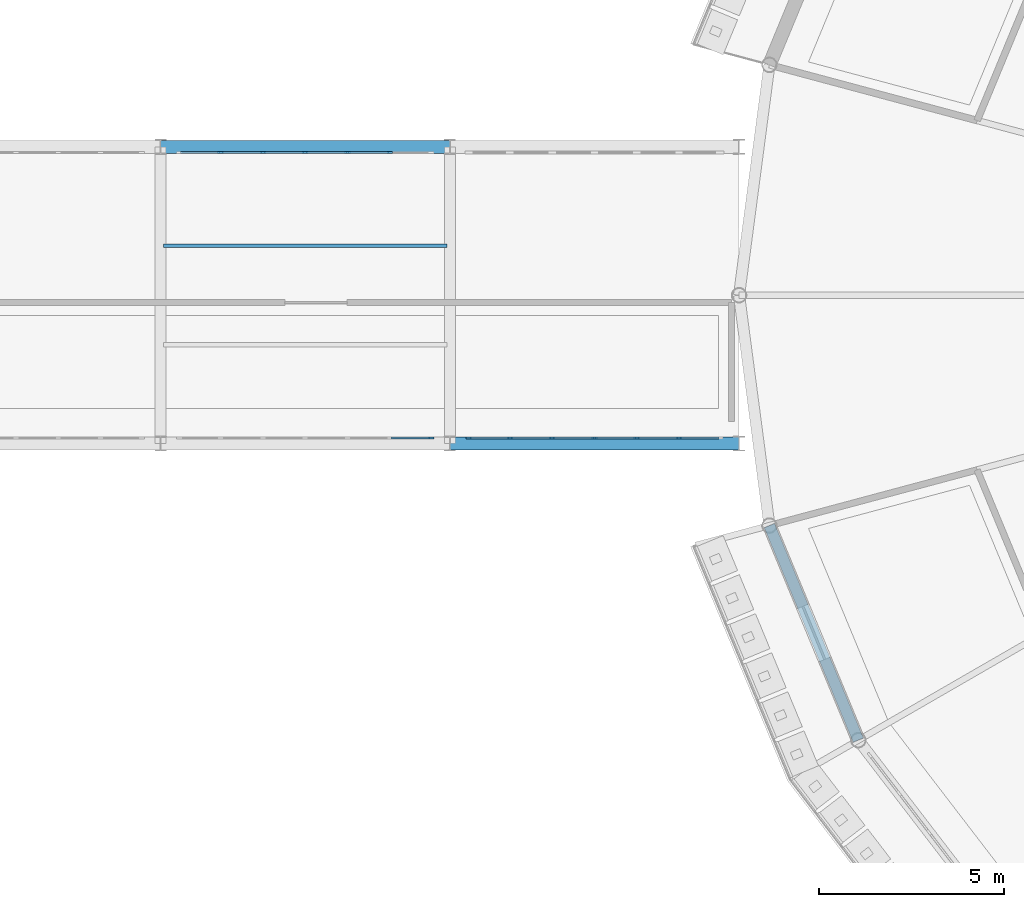
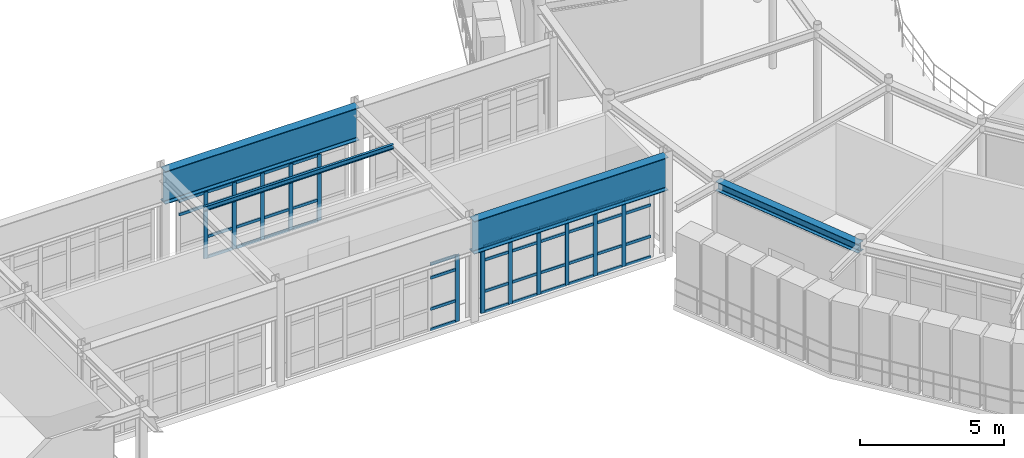
# One storey, part 33 of 106: 58 members, 4 beams, 3 elements without a shape of their own.
"""IFC4 building model written with IfcOpenShell, lengths in metres."""

from ifc_helpers import new_model, si_unit, derived_unit, direction, frame, origin, origin_2d, place, context, subcontext, project, spatial, rectangle, i_section, extrude, material, layer, layer_set, material_profile, profile_set, type_object, element, aggregate, save


model = new_model("IFC4")

# Units and contexts
model_context = context("Model", 3, precision=1e-05, world=origin(), true_north=direction((0.0, 1.0)))
body_context = subcontext(model_context, "Body", "Model", "MODEL_VIEW")
ifc_project = project(units=[si_unit("LENGTHUNIT", "METRE"), si_unit("AREAUNIT", "SQUARE_METRE"), si_unit("VOLUMEUNIT", "CUBIC_METRE"), si_unit("PLANEANGLEUNIT", "RADIAN"), si_unit("MASSUNIT", "GRAM", prefix="KILO"), derived_unit("THERMALTRANSMITTANCEUNIT", [(si_unit("POWERUNIT", "WATT"), 1), (si_unit("AREAUNIT", "SQUARE_METRE"), -1), (si_unit("THERMODYNAMICTEMPERATUREUNIT", "KELVIN"), -1)])], contexts=[model_context])

# Site, building, storey
site_placement = place(None, origin())
site = spatial("IfcSite", under=ifc_project, at=site_placement, CompositionType="ELEMENT")
building_placement = place(site_placement, origin())
building = spatial("IfcBuilding", under=site, at=building_placement, Name="Yasenodar Specialist Clinic", CompositionType="ELEMENT")
storey_placement = place(building_placement, frame((0.0, 0.0, 4.5)))
storey = spatial("IfcBuildingStorey", under=building, at=storey_placement, Name="L01", CompositionType="ELEMENT", Elevation=4.5)

# Beams
ifc_material_1 = material(Name="Steel S355", Category="steel")
ifc_material_profile_1 = material_profile(ifc_material_1, i_section(OverallWidth=0.300048828125, OverallDepth=0.389892578125, WebThickness=0.010986328125, FlangeThickness=0.01904296875, FilletRadius=0.027099609375, at=origin_2d()), Name="HEA 400")
ifc_profile_set_1 = profile_set([ifc_material_profile_1], Name="Steel S355")
beam_type_1 = type_object("IfcBeamType", Name="BM-HEA400", PredefinedType="BEAM", material=ifc_profile_set_1)
beam_1_placement = place(storey_placement, frame((57.81787109375, 52.58837890625, 4.054931640625), z_axis=(0.382663829839, -0.9238876519, 0.0), x_axis=(0.9238876519, 0.382663829839, 0.0)))
element("IfcBeam", 1, at=beam_1_placement, inside=storey, type_object=beam_type_1, Name="L01 Drum V1 Perimeter Ring Beam", PredefinedType="BEAM", context=body_context, shape_type="SweptSolid", body=[
    extrude(i_section(OverallWidth=0.300048828125, OverallDepth=0.389892578125, WebThickness=0.010986328125, FlangeThickness=0.01904296875, FilletRadius=0.027099609375, at=origin_2d()), origin(), (0.0, 0.0, 1.0), 6.26513671875),
])
ifc_material_profile_2 = material_profile(ifc_material_1, i_section(OverallWidth=0.35009765625, OverallDepth=1.39990234375, WebThickness=0.01611328125, FlangeThickness=0.028076171875, FilletRadius=0.02392578125, at=origin_2d()), Name="PG 1400x350")
ifc_profile_set_2 = profile_set([ifc_material_profile_2], Name="Steel S355")
beam_type_2 = type_object("IfcBeamType", Name="BM-PG-1400", PredefinedType="BEAM", material=ifc_profile_set_2)
for number, where, z_axis, x_axis, name in (
    (2, (49.199951171875, 54.800048828125, 3.550048828125), (1.0, 0.0, 0.0), (0.0, 1.0, 0.0), "L01 Light Bridge Plate Girder"),
    (3, (41.39990234375, 62.800048828125, 3.550048828125), (1.0, 0.0, 0.0), (0.0, 1.0, 0.0), "L01 Light Bridge Plate Girder"),
):
    element("IfcBeam", number, at=place(storey_placement, frame(where, z_axis=z_axis, x_axis=x_axis)), inside=storey, type_object=beam_type_2, Name=name, PredefinedType="BEAM", context=body_context, shape_type="SweptSolid", body=[
        extrude(i_section(OverallWidth=0.35009765625, OverallDepth=1.39990234375, WebThickness=0.01611328125, FlangeThickness=0.028076171875, FilletRadius=0.02392578125, at=origin_2d()), origin(), (0.0, 0.0, 1.0), 7.800048828125),
    ])

# Curtain wall, members
ifc_material_2 = material(Name="Bronze Anodized Aluminium and Triple Low-E Glass", Category="aluminium")
ifc_layer = layer(ifc_material_2, 0.19091796875)
ifc_layer_set = layer_set([ifc_layer], Name="Bronze Anodized Aluminium and Triple Low-E Glass")
curtain_wall_type = type_object("IfcCurtainWallType", Name="CW-SYS-03", PredefinedType="USERDEFINED", material=ifc_layer_set)
curtain_wall_1_placement = place(storey_placement, origin())
curtain_wall_1 = element("IfcCurtainWall", 4, at=curtain_wall_1_placement, inside=storey, type_object=curtain_wall_type, Name="L01 Unitised Curtain Wall 103", ObjectType="UNITISED CURTAIN WALL", PredefinedType="USERDEFINED")
ifc_material_3 = material(Name="Bronze Anodized Aluminium", Category="aluminium")
ifc_material_profile_3 = material_profile(ifc_material_3, rectangle(XDim=0.06005859375, YDim=0.159912109375, at=origin_2d()), Name="CW-MULL 60x160")
ifc_profile_set_3 = profile_set([ifc_material_profile_3], Name="Bronze Anodized Aluminium")
member_type_1 = type_object("IfcMemberType", Name="CW-MULL-160", PredefinedType="MULLION", material=ifc_profile_set_3)
member_1_placement = place(storey_placement, frame((43.02001953125, 62.64990234375, 0.0), z_axis=(0.0, 0.0, 1.0), x_axis=(0.0, 1.0, 0.0)))
member_1 = element("IfcMember", 5, at=member_1_placement, type_object=member_type_1, Name="CW-03 mullion 2", PredefinedType="MULLION", context=body_context, shape_type="SweptSolid", body=[
    extrude(rectangle(XDim=0.06005859375, YDim=0.159912109375, at=origin_2d()), origin(), (0.0, 0.0, 1.0), 2.827880859375),
])
member_2_placement = place(storey_placement, frame((44.159912109375, 62.64990234375, 0.0), z_axis=(0.0, 0.0, 1.0), x_axis=(0.0, 1.0, 0.0)))
member_2 = element("IfcMember", 6, at=member_2_placement, type_object=member_type_1, Name="CW-03 mullion 3", PredefinedType="MULLION", context=body_context, shape_type="SweptSolid", body=[
    extrude(rectangle(XDim=0.06005859375, YDim=0.159912109375, at=origin_2d()), origin(), (0.0, 0.0, 1.0), 2.827880859375),
])
member_3_placement = place(storey_placement, frame((45.300048828125, 62.64990234375, 0.0), z_axis=(0.0, 0.0, 1.0), x_axis=(0.0, 1.0, 0.0)))
member_3 = element("IfcMember", 7, at=member_3_placement, type_object=member_type_1, Name="CW-03 mullion 4", PredefinedType="MULLION", context=body_context, shape_type="SweptSolid", body=[
    extrude(rectangle(XDim=0.06005859375, YDim=0.159912109375, at=origin_2d()), origin(), (0.0, 0.0, 1.0), 2.827880859375),
])
member_4_placement = place(storey_placement, frame((46.43994140625, 62.64990234375, 0.0), z_axis=(0.0, 0.0, 1.0), x_axis=(0.0, 1.0, 0.0)))
member_4 = element("IfcMember", 8, at=member_4_placement, type_object=member_type_1, Name="CW-03 mullion 5", PredefinedType="MULLION", context=body_context, shape_type="SweptSolid", body=[
    extrude(rectangle(XDim=0.06005859375, YDim=0.159912109375, at=origin_2d()), origin(), (0.0, 0.0, 1.0), 2.827880859375),
])
member_5_placement = place(storey_placement, frame((47.580078125, 62.64990234375, 0.0), z_axis=(0.0, 0.0, 1.0), x_axis=(0.0, 1.0, 0.0)))
member_5 = element("IfcMember", 9, at=member_5_placement, type_object=member_type_1, Name="CW-03 mullion 6", PredefinedType="MULLION", context=body_context, shape_type="SweptSolid", body=[
    extrude(rectangle(XDim=0.06005859375, YDim=0.159912109375, at=origin_2d()), origin(), (0.0, 0.0, 1.0), 2.827880859375),
])

# Curtain wall, member
curtain_wall_2_placement = place(storey_placement, origin())
curtain_wall_2 = element("IfcCurtainWall", 10, at=curtain_wall_2_placement, inside=storey, type_object=curtain_wall_type, Name="L01 Unitised Curtain Wall 104", ObjectType="UNITISED CURTAIN WALL", PredefinedType="USERDEFINED")
member_6_placement = place(storey_placement, frame((48.68994140625, 54.949951171875, 0.0), z_axis=(0.0, 0.0, 1.0), x_axis=(0.0, -1.0, 0.0)))
member_6 = element("IfcMember", 11, at=member_6_placement, type_object=member_type_1, Name="CW-03 mullion 1", PredefinedType="MULLION", context=body_context, shape_type="SweptSolid", body=[
    extrude(rectangle(XDim=0.06005859375, YDim=0.159912109375, at=origin_2d()), origin(), (0.0, 0.0, 1.0), 2.827880859375),
])

# Curtain wall, members
curtain_wall_3_placement = place(storey_placement, origin())
curtain_wall_3 = element("IfcCurtainWall", 12, at=curtain_wall_3_placement, inside=storey, type_object=curtain_wall_type, Name="L01 Unitised Curtain Wall 106", ObjectType="UNITISED CURTAIN WALL", PredefinedType="USERDEFINED")
member_7_placement = place(storey_placement, frame((55.3798828125, 54.949951171875, 0.0), z_axis=(0.0, 0.0, 1.0), x_axis=(0.0, -1.0, 0.0)))
member_7 = element("IfcMember", 13, at=member_7_placement, type_object=member_type_1, Name="CW-03 mullion 2", PredefinedType="MULLION", context=body_context, shape_type="SweptSolid", body=[
    extrude(rectangle(XDim=0.06005859375, YDim=0.159912109375, at=origin_2d()), origin(), (0.0, 0.0, 1.0), 2.827880859375),
])
member_8_placement = place(storey_placement, frame((54.239990234375, 54.949951171875, 0.0), z_axis=(0.0, 0.0, 1.0), x_axis=(0.0, -1.0, 0.0)))
member_8 = element("IfcMember", 14, at=member_8_placement, type_object=member_type_1, Name="CW-03 mullion 3", PredefinedType="MULLION", context=body_context, shape_type="SweptSolid", body=[
    extrude(rectangle(XDim=0.06005859375, YDim=0.159912109375, at=origin_2d()), origin(), (0.0, 0.0, 1.0), 2.827880859375),
])
member_9_placement = place(storey_placement, frame((53.10009765625, 54.949951171875, 0.0), z_axis=(0.0, 0.0, 1.0), x_axis=(0.0, -1.0, 0.0)))
member_9 = element("IfcMember", 15, at=member_9_placement, type_object=member_type_1, Name="CW-03 mullion 4", PredefinedType="MULLION", context=body_context, shape_type="SweptSolid", body=[
    extrude(rectangle(XDim=0.06005859375, YDim=0.159912109375, at=origin_2d()), origin(), (0.0, 0.0, 1.0), 2.827880859375),
])
member_10_placement = place(storey_placement, frame((51.9599609375, 54.949951171875, 0.0), z_axis=(0.0, 0.0, 1.0), x_axis=(0.0, -1.0, 0.0)))
member_10 = element("IfcMember", 16, at=member_10_placement, type_object=member_type_1, Name="CW-03 mullion 5", PredefinedType="MULLION", context=body_context, shape_type="SweptSolid", body=[
    extrude(rectangle(XDim=0.06005859375, YDim=0.159912109375, at=origin_2d()), origin(), (0.0, 0.0, 1.0), 2.827880859375),
])
member_11_placement = place(storey_placement, frame((50.820068359375, 54.949951171875, 0.0), z_axis=(0.0, 0.0, 1.0), x_axis=(0.0, -1.0, 0.0)))
member_11 = element("IfcMember", 17, at=member_11_placement, type_object=member_type_1, Name="CW-03 mullion 6", PredefinedType="MULLION", context=body_context, shape_type="SweptSolid", body=[
    extrude(rectangle(XDim=0.06005859375, YDim=0.159912109375, at=origin_2d()), origin(), (0.0, 0.0, 1.0), 2.827880859375),
])
member_12_placement = place(storey_placement, frame((49.7099609375, 54.949951171875, 0.0), z_axis=(0.0, 0.0, 1.0), x_axis=(0.0, -1.0, 0.0)))
member_12 = element("IfcMember", 18, at=member_12_placement, type_object=member_type_1, Name="CW-03 mullion 7", PredefinedType="MULLION", context=body_context, shape_type="SweptSolid", body=[
    extrude(rectangle(XDim=0.06005859375, YDim=0.159912109375, at=origin_2d()), origin(), (0.0, 0.0, 1.0), 2.827880859375),
])

# Member
ifc_material_profile_4 = material_profile(ifc_material_3, rectangle(XDim=0.06005859375, YDim=0.1201171875, at=origin_2d()), Name="CW-TRAN 60x120")
ifc_profile_set_4 = profile_set([ifc_material_profile_4], Name="Bronze Anodized Aluminium")
member_type_2 = type_object("IfcMemberType", Name="CW-TRAN-120", PredefinedType="USERDEFINED", material=ifc_profile_set_4)
member_13_placement = place(storey_placement, frame((41.93994140625, 62.64990234375, 2.22802734375), z_axis=(1.0, 0.0, 0.0), x_axis=(0.0, 1.0, 0.0)))
member_13 = element("IfcMember", 19, at=member_13_placement, type_object=member_type_2, Name="CW-03 transom 1.3", ObjectType="TRANSOM", PredefinedType="USERDEFINED", context=body_context, shape_type="SweptSolid", body=[
    extrude(rectangle(XDim=0.06005859375, YDim=0.1201171875, at=origin_2d()), origin(), (0.0, 0.0, 1.0), 1.050048828125),
])

member_14_placement = place(storey_placement, frame((41.93994140625, 62.64990234375, 2.798095703125), z_axis=(1.0, 0.0, 0.0), x_axis=(0.0, 1.0, 0.0)))
member_14 = element("IfcMember", 20, at=member_14_placement, type_object=member_type_2, Name="CW-03 transom 1.4", ObjectType="TRANSOM", PredefinedType="USERDEFINED", context=body_context, shape_type="SweptSolid", body=[
    extrude(rectangle(XDim=0.06005859375, YDim=0.1201171875, at=origin_2d()), origin(), (0.0, 0.0, 1.0), 1.050048828125),
])

member_15_placement = place(storey_placement, frame((43.050048828125, 62.64990234375, 0.030029296875), z_axis=(1.0, 0.0, 0.0), x_axis=(0.0, 1.0, 0.0)))
member_15 = element("IfcMember", 21, at=member_15_placement, type_object=member_type_2, Name="CW-03 transom 2.1", ObjectType="TRANSOM", PredefinedType="USERDEFINED", context=body_context, shape_type="SweptSolid", body=[
    extrude(rectangle(XDim=0.06005859375, YDim=0.1201171875, at=origin_2d()), origin(), (0.0, 0.0, 1.0), 1.079833984375),
])

member_16_placement = place(storey_placement, frame((43.050048828125, 62.64990234375, 0.89990234375), z_axis=(1.0, 0.0, 0.0), x_axis=(0.0, 1.0, 0.0)))
member_16 = element("IfcMember", 22, at=member_16_placement, type_object=member_type_2, Name="CW-03 transom 2.2", ObjectType="TRANSOM", PredefinedType="USERDEFINED", context=body_context, shape_type="SweptSolid", body=[
    extrude(rectangle(XDim=0.06005859375, YDim=0.1201171875, at=origin_2d()), origin(), (0.0, 0.0, 1.0), 1.079833984375),
])

member_17_placement = place(storey_placement, frame((43.050048828125, 62.64990234375, 2.22802734375), z_axis=(1.0, 0.0, 0.0), x_axis=(0.0, 1.0, 0.0)))
member_17 = element("IfcMember", 23, at=member_17_placement, type_object=member_type_2, Name="CW-03 transom 2.3", ObjectType="TRANSOM", PredefinedType="USERDEFINED", context=body_context, shape_type="SweptSolid", body=[
    extrude(rectangle(XDim=0.06005859375, YDim=0.1201171875, at=origin_2d()), origin(), (0.0, 0.0, 1.0), 1.079833984375),
])

member_18_placement = place(storey_placement, frame((43.050048828125, 62.64990234375, 2.798095703125), z_axis=(1.0, 0.0, 0.0), x_axis=(0.0, 1.0, 0.0)))
member_18 = element("IfcMember", 24, at=member_18_placement, type_object=member_type_2, Name="CW-03 transom 2.4", ObjectType="TRANSOM", PredefinedType="USERDEFINED", context=body_context, shape_type="SweptSolid", body=[
    extrude(rectangle(XDim=0.06005859375, YDim=0.1201171875, at=origin_2d()), origin(), (0.0, 0.0, 1.0), 1.079833984375),
])

member_19_placement = place(storey_placement, frame((44.18994140625, 62.64990234375, 0.030029296875), z_axis=(1.0, 0.0, 0.0), x_axis=(0.0, 1.0, 0.0)))
member_19 = element("IfcMember", 25, at=member_19_placement, type_object=member_type_2, Name="CW-03 transom 3.1", ObjectType="TRANSOM", PredefinedType="USERDEFINED", context=body_context, shape_type="SweptSolid", body=[
    extrude(rectangle(XDim=0.06005859375, YDim=0.1201171875, at=origin_2d()), origin(), (0.0, 0.0, 1.0), 1.080078125),
])

member_20_placement = place(storey_placement, frame((44.18994140625, 62.64990234375, 0.89990234375), z_axis=(1.0, 0.0, 0.0), x_axis=(0.0, 1.0, 0.0)))
member_20 = element("IfcMember", 26, at=member_20_placement, type_object=member_type_2, Name="CW-03 transom 3.2", ObjectType="TRANSOM", PredefinedType="USERDEFINED", context=body_context, shape_type="SweptSolid", body=[
    extrude(rectangle(XDim=0.06005859375, YDim=0.1201171875, at=origin_2d()), origin(), (0.0, 0.0, 1.0), 1.080078125),
])

member_21_placement = place(storey_placement, frame((44.18994140625, 62.64990234375, 2.22802734375), z_axis=(1.0, 0.0, 0.0), x_axis=(0.0, 1.0, 0.0)))
member_21 = element("IfcMember", 27, at=member_21_placement, type_object=member_type_2, Name="CW-03 transom 3.3", ObjectType="TRANSOM", PredefinedType="USERDEFINED", context=body_context, shape_type="SweptSolid", body=[
    extrude(rectangle(XDim=0.06005859375, YDim=0.1201171875, at=origin_2d()), origin(), (0.0, 0.0, 1.0), 1.080078125),
])

member_22_placement = place(storey_placement, frame((44.18994140625, 62.64990234375, 2.798095703125), z_axis=(1.0, 0.0, 0.0), x_axis=(0.0, 1.0, 0.0)))
member_22 = element("IfcMember", 28, at=member_22_placement, type_object=member_type_2, Name="CW-03 transom 3.4", ObjectType="TRANSOM", PredefinedType="USERDEFINED", context=body_context, shape_type="SweptSolid", body=[
    extrude(rectangle(XDim=0.06005859375, YDim=0.1201171875, at=origin_2d()), origin(), (0.0, 0.0, 1.0), 1.080078125),
])

member_23_placement = place(storey_placement, frame((45.330078125, 62.64990234375, 0.030029296875), z_axis=(1.0, 0.0, 0.0), x_axis=(0.0, 1.0, 0.0)))
member_23 = element("IfcMember", 29, at=member_23_placement, type_object=member_type_2, Name="CW-03 transom 4.1", ObjectType="TRANSOM", PredefinedType="USERDEFINED", context=body_context, shape_type="SweptSolid", body=[
    extrude(rectangle(XDim=0.06005859375, YDim=0.1201171875, at=origin_2d()), origin(), (0.0, 0.0, 1.0), 1.079833984375),
])

member_24_placement = place(storey_placement, frame((45.330078125, 62.64990234375, 0.89990234375), z_axis=(1.0, 0.0, 0.0), x_axis=(0.0, 1.0, 0.0)))
member_24 = element("IfcMember", 30, at=member_24_placement, type_object=member_type_2, Name="CW-03 transom 4.2", ObjectType="TRANSOM", PredefinedType="USERDEFINED", context=body_context, shape_type="SweptSolid", body=[
    extrude(rectangle(XDim=0.06005859375, YDim=0.1201171875, at=origin_2d()), origin(), (0.0, 0.0, 1.0), 1.079833984375),
])

member_25_placement = place(storey_placement, frame((45.330078125, 62.64990234375, 2.22802734375), z_axis=(1.0, 0.0, 0.0), x_axis=(0.0, 1.0, 0.0)))
member_25 = element("IfcMember", 31, at=member_25_placement, type_object=member_type_2, Name="CW-03 transom 4.3", ObjectType="TRANSOM", PredefinedType="USERDEFINED", context=body_context, shape_type="SweptSolid", body=[
    extrude(rectangle(XDim=0.06005859375, YDim=0.1201171875, at=origin_2d()), origin(), (0.0, 0.0, 1.0), 1.079833984375),
])

member_26_placement = place(storey_placement, frame((45.330078125, 62.64990234375, 2.798095703125), z_axis=(1.0, 0.0, 0.0), x_axis=(0.0, 1.0, 0.0)))
member_26 = element("IfcMember", 32, at=member_26_placement, type_object=member_type_2, Name="CW-03 transom 4.4", ObjectType="TRANSOM", PredefinedType="USERDEFINED", context=body_context, shape_type="SweptSolid", body=[
    extrude(rectangle(XDim=0.06005859375, YDim=0.1201171875, at=origin_2d()), origin(), (0.0, 0.0, 1.0), 1.079833984375),
])

member_27_placement = place(storey_placement, frame((46.469970703125, 62.64990234375, 0.030029296875), z_axis=(1.0, 0.0, 0.0), x_axis=(0.0, 1.0, 0.0)))
member_27 = element("IfcMember", 33, at=member_27_placement, type_object=member_type_2, Name="CW-03 transom 5.1", ObjectType="TRANSOM", PredefinedType="USERDEFINED", context=body_context, shape_type="SweptSolid", body=[
    extrude(rectangle(XDim=0.06005859375, YDim=0.1201171875, at=origin_2d()), origin(), (0.0, 0.0, 1.0), 1.080078125),
])

member_28_placement = place(storey_placement, frame((46.469970703125, 62.64990234375, 0.89990234375), z_axis=(1.0, 0.0, 0.0), x_axis=(0.0, 1.0, 0.0)))
member_28 = element("IfcMember", 34, at=member_28_placement, type_object=member_type_2, Name="CW-03 transom 5.2", ObjectType="TRANSOM", PredefinedType="USERDEFINED", context=body_context, shape_type="SweptSolid", body=[
    extrude(rectangle(XDim=0.06005859375, YDim=0.1201171875, at=origin_2d()), origin(), (0.0, 0.0, 1.0), 1.080078125),
])

member_29_placement = place(storey_placement, frame((46.469970703125, 62.64990234375, 2.22802734375), z_axis=(1.0, 0.0, 0.0), x_axis=(0.0, 1.0, 0.0)))
member_29 = element("IfcMember", 35, at=member_29_placement, type_object=member_type_2, Name="CW-03 transom 5.3", ObjectType="TRANSOM", PredefinedType="USERDEFINED", context=body_context, shape_type="SweptSolid", body=[
    extrude(rectangle(XDim=0.06005859375, YDim=0.1201171875, at=origin_2d()), origin(), (0.0, 0.0, 1.0), 1.080078125),
])

member_30_placement = place(storey_placement, frame((46.469970703125, 62.64990234375, 2.798095703125), z_axis=(1.0, 0.0, 0.0), x_axis=(0.0, 1.0, 0.0)))
member_30 = element("IfcMember", 36, at=member_30_placement, type_object=member_type_2, Name="CW-03 transom 5.4", ObjectType="TRANSOM", PredefinedType="USERDEFINED", context=body_context, shape_type="SweptSolid", body=[
    extrude(rectangle(XDim=0.06005859375, YDim=0.1201171875, at=origin_2d()), origin(), (0.0, 0.0, 1.0), 1.080078125),
])

aggregate(curtain_wall_1, [member_1, member_2, member_3, member_4, member_5, member_13, member_14, member_15, member_16, member_17, member_18, member_19, member_20, member_21, member_22, member_23, member_24, member_25, member_26, member_27, member_28, member_29, member_30])

member_31_placement = place(storey_placement, frame((48.659912109375, 54.949951171875, 0.030029296875), z_axis=(-1.0, 0.0, 0.0), x_axis=(0.0, -1.0, 0.0)))
member_31 = element("IfcMember", 37, at=member_31_placement, type_object=member_type_2, Name="CW-03 transom 1.1", ObjectType="TRANSOM", PredefinedType="USERDEFINED", context=body_context, shape_type="SweptSolid", body=[
    extrude(rectangle(XDim=0.06005859375, YDim=0.1201171875, at=origin_2d()), origin(), (0.0, 0.0, 1.0), 1.0498046875),
])

member_32_placement = place(storey_placement, frame((48.659912109375, 54.949951171875, 0.89990234375), z_axis=(-1.0, 0.0, 0.0), x_axis=(0.0, -1.0, 0.0)))
member_32 = element("IfcMember", 38, at=member_32_placement, type_object=member_type_2, Name="CW-03 transom 1.2", ObjectType="TRANSOM", PredefinedType="USERDEFINED", context=body_context, shape_type="SweptSolid", body=[
    extrude(rectangle(XDim=0.06005859375, YDim=0.1201171875, at=origin_2d()), origin(), (0.0, 0.0, 1.0), 1.0498046875),
])

member_33_placement = place(storey_placement, frame((48.659912109375, 54.949951171875, 2.22802734375), z_axis=(-1.0, 0.0, 0.0), x_axis=(0.0, -1.0, 0.0)))
member_33 = element("IfcMember", 39, at=member_33_placement, type_object=member_type_2, Name="CW-03 transom 1.3", ObjectType="TRANSOM", PredefinedType="USERDEFINED", context=body_context, shape_type="SweptSolid", body=[
    extrude(rectangle(XDim=0.06005859375, YDim=0.1201171875, at=origin_2d()), origin(), (0.0, 0.0, 1.0), 1.0498046875),
])

member_34_placement = place(storey_placement, frame((48.659912109375, 54.949951171875, 2.798095703125), z_axis=(-1.0, 0.0, 0.0), x_axis=(0.0, -1.0, 0.0)))
member_34 = element("IfcMember", 40, at=member_34_placement, type_object=member_type_2, Name="CW-03 transom 1.4", ObjectType="TRANSOM", PredefinedType="USERDEFINED", context=body_context, shape_type="SweptSolid", body=[
    extrude(rectangle(XDim=0.06005859375, YDim=0.1201171875, at=origin_2d()), origin(), (0.0, 0.0, 1.0), 1.0498046875),
])

aggregate(curtain_wall_2, [member_6, member_31, member_32, member_33, member_34])

member_35_placement = place(storey_placement, frame((56.4599609375, 54.949951171875, 0.030029296875), z_axis=(-1.0, 0.0, 0.0), x_axis=(0.0, -1.0, 0.0)))
member_35 = element("IfcMember", 41, at=member_35_placement, type_object=member_type_2, Name="CW-03 transom 1.1", ObjectType="TRANSOM", PredefinedType="USERDEFINED", context=body_context, shape_type="SweptSolid", body=[
    extrude(rectangle(XDim=0.06005859375, YDim=0.1201171875, at=origin_2d()), origin(), (0.0, 0.0, 1.0), 1.050048828125),
])

member_36_placement = place(storey_placement, frame((56.4599609375, 54.949951171875, 0.89990234375), z_axis=(-1.0, 0.0, 0.0), x_axis=(0.0, -1.0, 0.0)))
member_36 = element("IfcMember", 42, at=member_36_placement, type_object=member_type_2, Name="CW-03 transom 1.2", ObjectType="TRANSOM", PredefinedType="USERDEFINED", context=body_context, shape_type="SweptSolid", body=[
    extrude(rectangle(XDim=0.06005859375, YDim=0.1201171875, at=origin_2d()), origin(), (0.0, 0.0, 1.0), 1.050048828125),
])

member_37_placement = place(storey_placement, frame((56.4599609375, 54.949951171875, 2.22802734375), z_axis=(-1.0, 0.0, 0.0), x_axis=(0.0, -1.0, 0.0)))
member_37 = element("IfcMember", 43, at=member_37_placement, type_object=member_type_2, Name="CW-03 transom 1.3", ObjectType="TRANSOM", PredefinedType="USERDEFINED", context=body_context, shape_type="SweptSolid", body=[
    extrude(rectangle(XDim=0.06005859375, YDim=0.1201171875, at=origin_2d()), origin(), (0.0, 0.0, 1.0), 1.050048828125),
])

member_38_placement = place(storey_placement, frame((56.4599609375, 54.949951171875, 2.798095703125), z_axis=(-1.0, 0.0, 0.0), x_axis=(0.0, -1.0, 0.0)))
member_38 = element("IfcMember", 44, at=member_38_placement, type_object=member_type_2, Name="CW-03 transom 1.4", ObjectType="TRANSOM", PredefinedType="USERDEFINED", context=body_context, shape_type="SweptSolid", body=[
    extrude(rectangle(XDim=0.06005859375, YDim=0.1201171875, at=origin_2d()), origin(), (0.0, 0.0, 1.0), 1.050048828125),
])

member_39_placement = place(storey_placement, frame((55.35009765625, 54.949951171875, 0.030029296875), z_axis=(-1.0, 0.0, 0.0), x_axis=(0.0, -1.0, 0.0)))
member_39 = element("IfcMember", 45, at=member_39_placement, type_object=member_type_2, Name="CW-03 transom 2.1", ObjectType="TRANSOM", PredefinedType="USERDEFINED", context=body_context, shape_type="SweptSolid", body=[
    extrude(rectangle(XDim=0.06005859375, YDim=0.1201171875, at=origin_2d()), origin(), (0.0, 0.0, 1.0), 1.080078125),
])

member_40_placement = place(storey_placement, frame((55.35009765625, 54.949951171875, 0.89990234375), z_axis=(-1.0, 0.0, 0.0), x_axis=(0.0, -1.0, 0.0)))
member_40 = element("IfcMember", 46, at=member_40_placement, type_object=member_type_2, Name="CW-03 transom 2.2", ObjectType="TRANSOM", PredefinedType="USERDEFINED", context=body_context, shape_type="SweptSolid", body=[
    extrude(rectangle(XDim=0.06005859375, YDim=0.1201171875, at=origin_2d()), origin(), (0.0, 0.0, 1.0), 1.080078125),
])

member_41_placement = place(storey_placement, frame((55.35009765625, 54.949951171875, 2.22802734375), z_axis=(-1.0, 0.0, 0.0), x_axis=(0.0, -1.0, 0.0)))
member_41 = element("IfcMember", 47, at=member_41_placement, type_object=member_type_2, Name="CW-03 transom 2.3", ObjectType="TRANSOM", PredefinedType="USERDEFINED", context=body_context, shape_type="SweptSolid", body=[
    extrude(rectangle(XDim=0.06005859375, YDim=0.1201171875, at=origin_2d()), origin(), (0.0, 0.0, 1.0), 1.080078125),
])

member_42_placement = place(storey_placement, frame((55.35009765625, 54.949951171875, 2.798095703125), z_axis=(-1.0, 0.0, 0.0), x_axis=(0.0, -1.0, 0.0)))
member_42 = element("IfcMember", 48, at=member_42_placement, type_object=member_type_2, Name="CW-03 transom 2.4", ObjectType="TRANSOM", PredefinedType="USERDEFINED", context=body_context, shape_type="SweptSolid", body=[
    extrude(rectangle(XDim=0.06005859375, YDim=0.1201171875, at=origin_2d()), origin(), (0.0, 0.0, 1.0), 1.080078125),
])

member_43_placement = place(storey_placement, frame((54.2099609375, 54.949951171875, 0.030029296875), z_axis=(-1.0, 0.0, 0.0), x_axis=(0.0, -1.0, 0.0)))
member_43 = element("IfcMember", 49, at=member_43_placement, type_object=member_type_2, Name="CW-03 transom 3.1", ObjectType="TRANSOM", PredefinedType="USERDEFINED", context=body_context, shape_type="SweptSolid", body=[
    extrude(rectangle(XDim=0.06005859375, YDim=0.1201171875, at=origin_2d()), origin(), (0.0, 0.0, 1.0), 1.080078125),
])

member_44_placement = place(storey_placement, frame((54.2099609375, 54.949951171875, 0.89990234375), z_axis=(-1.0, 0.0, 0.0), x_axis=(0.0, -1.0, 0.0)))
member_44 = element("IfcMember", 50, at=member_44_placement, type_object=member_type_2, Name="CW-03 transom 3.2", ObjectType="TRANSOM", PredefinedType="USERDEFINED", context=body_context, shape_type="SweptSolid", body=[
    extrude(rectangle(XDim=0.06005859375, YDim=0.1201171875, at=origin_2d()), origin(), (0.0, 0.0, 1.0), 1.080078125),
])

member_45_placement = place(storey_placement, frame((54.2099609375, 54.949951171875, 2.22802734375), z_axis=(-1.0, 0.0, 0.0), x_axis=(0.0, -1.0, 0.0)))
member_45 = element("IfcMember", 51, at=member_45_placement, type_object=member_type_2, Name="CW-03 transom 3.3", ObjectType="TRANSOM", PredefinedType="USERDEFINED", context=body_context, shape_type="SweptSolid", body=[
    extrude(rectangle(XDim=0.06005859375, YDim=0.1201171875, at=origin_2d()), origin(), (0.0, 0.0, 1.0), 1.080078125),
])

member_46_placement = place(storey_placement, frame((54.2099609375, 54.949951171875, 2.798095703125), z_axis=(-1.0, 0.0, 0.0), x_axis=(0.0, -1.0, 0.0)))
member_46 = element("IfcMember", 52, at=member_46_placement, type_object=member_type_2, Name="CW-03 transom 3.4", ObjectType="TRANSOM", PredefinedType="USERDEFINED", context=body_context, shape_type="SweptSolid", body=[
    extrude(rectangle(XDim=0.06005859375, YDim=0.1201171875, at=origin_2d()), origin(), (0.0, 0.0, 1.0), 1.080078125),
])

member_47_placement = place(storey_placement, frame((53.070068359375, 54.949951171875, 0.030029296875), z_axis=(-1.0, 0.0, 0.0), x_axis=(0.0, -1.0, 0.0)))
member_47 = element("IfcMember", 53, at=member_47_placement, type_object=member_type_2, Name="CW-03 transom 4.1", ObjectType="TRANSOM", PredefinedType="USERDEFINED", context=body_context, shape_type="SweptSolid", body=[
    extrude(rectangle(XDim=0.06005859375, YDim=0.1201171875, at=origin_2d()), origin(), (0.0, 0.0, 1.0), 1.080078125),
])

member_48_placement = place(storey_placement, frame((53.070068359375, 54.949951171875, 0.89990234375), z_axis=(-1.0, 0.0, 0.0), x_axis=(0.0, -1.0, 0.0)))
member_48 = element("IfcMember", 54, at=member_48_placement, type_object=member_type_2, Name="CW-03 transom 4.2", ObjectType="TRANSOM", PredefinedType="USERDEFINED", context=body_context, shape_type="SweptSolid", body=[
    extrude(rectangle(XDim=0.06005859375, YDim=0.1201171875, at=origin_2d()), origin(), (0.0, 0.0, 1.0), 1.080078125),
])

member_49_placement = place(storey_placement, frame((53.070068359375, 54.949951171875, 2.22802734375), z_axis=(-1.0, 0.0, 0.0), x_axis=(0.0, -1.0, 0.0)))
member_49 = element("IfcMember", 55, at=member_49_placement, type_object=member_type_2, Name="CW-03 transom 4.3", ObjectType="TRANSOM", PredefinedType="USERDEFINED", context=body_context, shape_type="SweptSolid", body=[
    extrude(rectangle(XDim=0.06005859375, YDim=0.1201171875, at=origin_2d()), origin(), (0.0, 0.0, 1.0), 1.080078125),
])

member_50_placement = place(storey_placement, frame((53.070068359375, 54.949951171875, 2.798095703125), z_axis=(-1.0, 0.0, 0.0), x_axis=(0.0, -1.0, 0.0)))
member_50 = element("IfcMember", 56, at=member_50_placement, type_object=member_type_2, Name="CW-03 transom 4.4", ObjectType="TRANSOM", PredefinedType="USERDEFINED", context=body_context, shape_type="SweptSolid", body=[
    extrude(rectangle(XDim=0.06005859375, YDim=0.1201171875, at=origin_2d()), origin(), (0.0, 0.0, 1.0), 1.080078125),
])

member_51_placement = place(storey_placement, frame((51.929931640625, 54.949951171875, 0.030029296875), z_axis=(-1.0, 0.0, 0.0), x_axis=(0.0, -1.0, 0.0)))
member_51 = element("IfcMember", 57, at=member_51_placement, type_object=member_type_2, Name="CW-03 transom 5.1", ObjectType="TRANSOM", PredefinedType="USERDEFINED", context=body_context, shape_type="SweptSolid", body=[
    extrude(rectangle(XDim=0.06005859375, YDim=0.1201171875, at=origin_2d()), origin(), (0.0, 0.0, 1.0), 1.079833984375),
])

member_52_placement = place(storey_placement, frame((51.929931640625, 54.949951171875, 0.89990234375), z_axis=(-1.0, 0.0, 0.0), x_axis=(0.0, -1.0, 0.0)))
member_52 = element("IfcMember", 58, at=member_52_placement, type_object=member_type_2, Name="CW-03 transom 5.2", ObjectType="TRANSOM", PredefinedType="USERDEFINED", context=body_context, shape_type="SweptSolid", body=[
    extrude(rectangle(XDim=0.06005859375, YDim=0.1201171875, at=origin_2d()), origin(), (0.0, 0.0, 1.0), 1.079833984375),
])

member_53_placement = place(storey_placement, frame((51.929931640625, 54.949951171875, 2.22802734375), z_axis=(-1.0, 0.0, 0.0), x_axis=(0.0, -1.0, 0.0)))
member_53 = element("IfcMember", 59, at=member_53_placement, type_object=member_type_2, Name="CW-03 transom 5.3", ObjectType="TRANSOM", PredefinedType="USERDEFINED", context=body_context, shape_type="SweptSolid", body=[
    extrude(rectangle(XDim=0.06005859375, YDim=0.1201171875, at=origin_2d()), origin(), (0.0, 0.0, 1.0), 1.079833984375),
])

member_54_placement = place(storey_placement, frame((51.929931640625, 54.949951171875, 2.798095703125), z_axis=(-1.0, 0.0, 0.0), x_axis=(0.0, -1.0, 0.0)))
member_54 = element("IfcMember", 60, at=member_54_placement, type_object=member_type_2, Name="CW-03 transom 5.4", ObjectType="TRANSOM", PredefinedType="USERDEFINED", context=body_context, shape_type="SweptSolid", body=[
    extrude(rectangle(XDim=0.06005859375, YDim=0.1201171875, at=origin_2d()), origin(), (0.0, 0.0, 1.0), 1.079833984375),
])

member_55_placement = place(storey_placement, frame((50.7900390625, 54.949951171875, 0.030029296875), z_axis=(-1.0, 0.0, 0.0), x_axis=(0.0, -1.0, 0.0)))
member_55 = element("IfcMember", 61, at=member_55_placement, type_object=member_type_2, Name="CW-03 transom 6.1", ObjectType="TRANSOM", PredefinedType="USERDEFINED", context=body_context, shape_type="SweptSolid", body=[
    extrude(rectangle(XDim=0.06005859375, YDim=0.1201171875, at=origin_2d()), origin(), (0.0, 0.0, 1.0), 1.050048828125),
])

member_56_placement = place(storey_placement, frame((50.7900390625, 54.949951171875, 0.89990234375), z_axis=(-1.0, 0.0, 0.0), x_axis=(0.0, -1.0, 0.0)))
member_56 = element("IfcMember", 62, at=member_56_placement, type_object=member_type_2, Name="CW-03 transom 6.2", ObjectType="TRANSOM", PredefinedType="USERDEFINED", context=body_context, shape_type="SweptSolid", body=[
    extrude(rectangle(XDim=0.06005859375, YDim=0.1201171875, at=origin_2d()), origin(), (0.0, 0.0, 1.0), 1.050048828125),
])

member_57_placement = place(storey_placement, frame((50.7900390625, 54.949951171875, 2.22802734375), z_axis=(-1.0, 0.0, 0.0), x_axis=(0.0, -1.0, 0.0)))
member_57 = element("IfcMember", 63, at=member_57_placement, type_object=member_type_2, Name="CW-03 transom 6.3", ObjectType="TRANSOM", PredefinedType="USERDEFINED", context=body_context, shape_type="SweptSolid", body=[
    extrude(rectangle(XDim=0.06005859375, YDim=0.1201171875, at=origin_2d()), origin(), (0.0, 0.0, 1.0), 1.050048828125),
])

member_58_placement = place(storey_placement, frame((50.7900390625, 54.949951171875, 2.798095703125), z_axis=(-1.0, 0.0, 0.0), x_axis=(0.0, -1.0, 0.0)))
member_58 = element("IfcMember", 64, at=member_58_placement, type_object=member_type_2, Name="CW-03 transom 6.4", ObjectType="TRANSOM", PredefinedType="USERDEFINED", context=body_context, shape_type="SweptSolid", body=[
    extrude(rectangle(XDim=0.06005859375, YDim=0.1201171875, at=origin_2d()), origin(), (0.0, 0.0, 1.0), 1.050048828125),
])

aggregate(curtain_wall_3, [member_7, member_8, member_9, member_10, member_11, member_12, member_35, member_36, member_37, member_38, member_39, member_40, member_41, member_42, member_43, member_44, member_45, member_46, member_47, member_48, member_49, member_50, member_51, member_52, member_53, member_54, member_55, member_56, member_57, member_58])

# Beam
ifc_material_profile_5 = material_profile(ifc_material_1, i_section(OverallWidth=0.10009765625, OverallDepth=0.199951171875, WebThickness=0.005615234375, FlangeThickness=0.008544921875, FilletRadius=0.011962890625, at=origin_2d()), Name="IPE 200")
ifc_profile_set_5 = profile_set([ifc_material_profile_5], Name="Steel S355")
beam_type_3 = type_object("IfcBeamType", Name="JS-IPE200", PredefinedType="JOIST", material=ifc_profile_set_5)
beam_2_placement = place(storey_placement, frame((41.47998046875, 60.13330078125, 4.14990234375), z_axis=(1.0, 0.0, 0.0), x_axis=(0.0, 1.0, 0.0)))
element("IfcBeam", 65, at=beam_2_placement, inside=storey, type_object=beam_type_3, Name="L01 Composite Floor Joist", PredefinedType="JOIST", context=body_context, shape_type="SweptSolid", body=[
    extrude(i_section(OverallWidth=0.10009765625, OverallDepth=0.199951171875, WebThickness=0.005615234375, FlangeThickness=0.008544921875, FilletRadius=0.011962890625, at=origin_2d()), origin(), (0.0, 0.0, 1.0), 7.64013671875),
])

save(model, "model.ifc")
